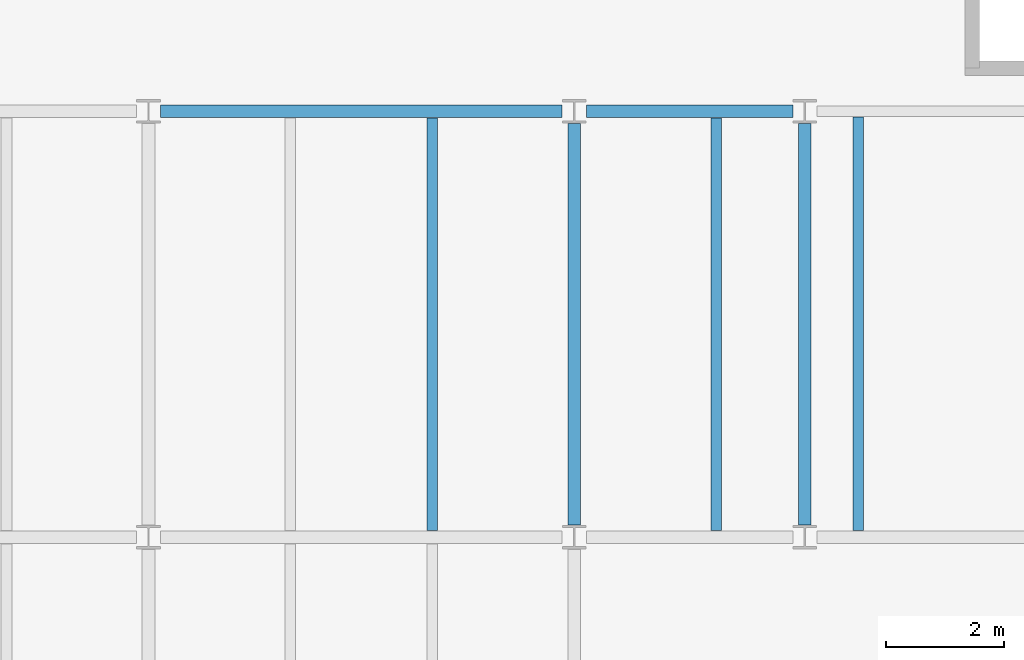
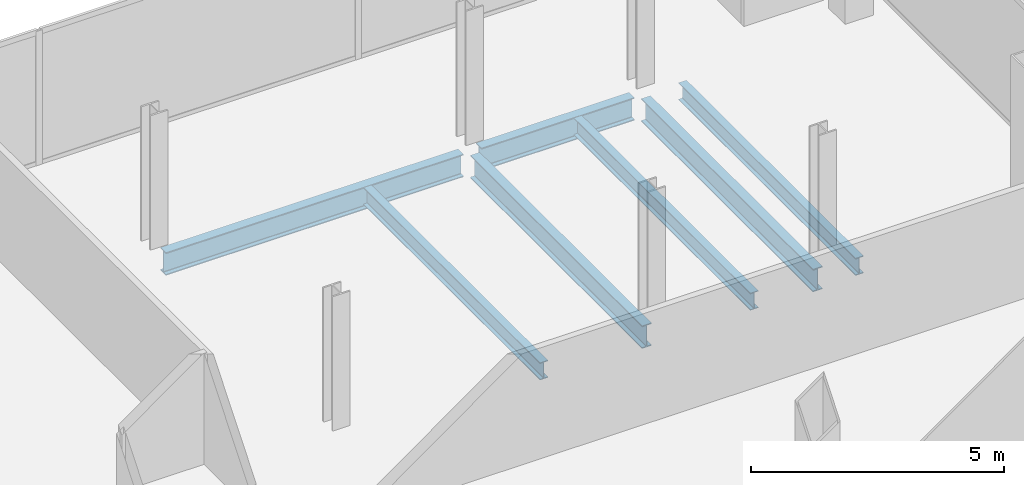
# One storey, part 15 of 24: 7 beams.
"""IFC4 building model written with IfcOpenShell, lengths in metres."""

from ifc_helpers import new_model, si_unit, direction, frame, origin, origin_2d, place, context, subcontext, project, spatial, i_section, extrude, material, material_profile, profile_set, type_object, element, save


model = new_model("IFC4")

# Units and contexts
model_context = context("Model", 3, precision=1e-05, world=origin(), true_north=direction((0.0, 1.0)))
body_context = subcontext(model_context, "Body", "Model", "MODEL_VIEW")
ifc_project = project(units=[si_unit("LENGTHUNIT", "METRE"), si_unit("AREAUNIT", "SQUARE_METRE"), si_unit("VOLUMEUNIT", "CUBIC_METRE"), si_unit("PLANEANGLEUNIT", "RADIAN"), si_unit("MASSUNIT", "GRAM", prefix="KILO")], contexts=[model_context])

# Site, building, storey
site_placement = place(None, origin())
site = spatial("IfcSite", under=ifc_project, at=site_placement, CompositionType="ELEMENT")
building_placement = place(site_placement, origin())
building = spatial("IfcBuilding", under=site, at=building_placement, Name="Cobrela Telecom Tower", CompositionType="ELEMENT")
storey_placement = place(building_placement, frame((0.0, 0.0, 248.14990234375)))
storey = spatial("IfcBuildingStorey", under=building, at=storey_placement, Name="L64", CompositionType="ELEMENT", Elevation=248.14990234375)

# Beams
ifc_material = material(Name="Steel ASTM A992 Grade 50", Category="steel")
ifc_material_profile_1 = material_profile(ifc_material, i_section(OverallWidth=0.212890625, OverallDepth=0.549072265625, WebThickness=0.0146484375, FlangeThickness=0.023681640625, FilletRadius=0.013916015625, at=origin_2d()), Name="W21X93")
ifc_profile_set_1 = profile_set([ifc_material_profile_1], Name="Steel ASTM A992 Grade 50")
beam_type_1 = type_object("IfcBeamType", Name="BM-GIRD-08", PredefinedType="USERDEFINED", material=ifc_profile_set_1)
beam_1_placement = place(storey_placement, frame((29.00439453125, 21.60009765625, -0.534423828125), z_axis=(1.0, 0.0, 0.0), x_axis=(0.0, 1.0, 0.0)))
element("IfcBeam", 1, at=beam_1_placement, inside=storey, type_object=beam_type_1, Name="L64 Primary Girder X12", ObjectType="GIRDER", PredefinedType="USERDEFINED", context=body_context, shape_type="SweptSolid", body=[
    extrude(i_section(OverallWidth=0.212890625, OverallDepth=0.549072265625, WebThickness=0.0146484375, FlangeThickness=0.023681640625, FilletRadius=0.013916015625, at=origin_2d()), origin(), (0.0, 0.0, 1.0), 6.791015625),
])
beam_2_placement = place(storey_placement, frame((36.20458984375, 21.60009765625, -0.534423828125), z_axis=(1.0, 0.0, 0.0), x_axis=(0.0, 1.0, 0.0)))
element("IfcBeam", 2, at=beam_2_placement, inside=storey, type_object=beam_type_1, Name="L64 Primary Girder X13", ObjectType="GIRDER", PredefinedType="USERDEFINED", context=body_context, shape_type="SweptSolid", body=[
    extrude(i_section(OverallWidth=0.212890625, OverallDepth=0.549072265625, WebThickness=0.0146484375, FlangeThickness=0.023681640625, FilletRadius=0.013916015625, at=origin_2d()), origin(), (0.0, 0.0, 1.0), 3.490966796875),
])
for number, where, z_axis, x_axis, name in (
    (3, (36.0, 14.6044921875, -0.534423828125), (0.0, 1.0, 0.0), (-1.0, 0.0, 0.0), "L64 Primary Girder Y32"),
    (4, (39.89990234375, 14.6044921875, -0.534423828125), (0.0, 1.0, 0.0), (-1.0, 0.0, 0.0), "L64 Primary Girder Y33"),
):
    element("IfcBeam", number, at=place(storey_placement, frame(where, z_axis=z_axis, x_axis=x_axis)), inside=storey, type_object=beam_type_1, Name=name, ObjectType="GIRDER", PredefinedType="USERDEFINED", context=body_context, shape_type="SweptSolid", body=[
        extrude(i_section(OverallWidth=0.212890625, OverallDepth=0.549072265625, WebThickness=0.0146484375, FlangeThickness=0.023681640625, FilletRadius=0.013916015625, at=origin_2d()), origin(), (0.0, 0.0, 1.0), 6.791015625),
    ])
ifc_material_profile_2 = material_profile(ifc_material, i_section(OverallWidth=0.179931640625, OverallDepth=0.4169921875, WebThickness=0.010986328125, FlangeThickness=0.01806640625, FilletRadius=0.011962890625, at=origin_2d()), Name="W16X57")
ifc_profile_set_2 = profile_set([ifc_material_profile_2], Name="Steel ASTM A992 Grade 50")
beam_type_2 = type_object("IfcBeamType", Name="BM-JOIST-04", PredefinedType="JOIST", material=ifc_profile_set_2)
for number, where, z_axis, x_axis, name in (
    (5, (33.60009765625, 14.511474609375, -0.468505859375), (0.0, 1.0, 0.0), (-1.0, 0.0, 0.0), "L64 Secondary Composite Floor Beam J14"),
    (6, (38.39990234375, 14.511474609375, -0.468505859375), (0.0, 1.0, 0.0), (-1.0, 0.0, 0.0), "L64 Secondary Composite Floor Beam J15"),
):
    element("IfcBeam", number, at=place(storey_placement, frame(where, z_axis=z_axis, x_axis=x_axis)), inside=storey, type_object=beam_type_2, Name=name, PredefinedType="JOIST", context=body_context, shape_type="SweptSolid", body=[
        extrude(i_section(OverallWidth=0.179931640625, OverallDepth=0.4169921875, WebThickness=0.010986328125, FlangeThickness=0.01806640625, FilletRadius=0.011962890625, at=origin_2d()), origin(), (0.0, 0.0, 1.0), 6.97705078125),
    ])
beam_3_placement = place(storey_placement, frame((40.800048828125, 14.511474609375, -0.468505859375), z_axis=(0.0, 1.0, 0.0), x_axis=(-1.0, 0.0, 0.0)))
element("IfcBeam", 7, at=beam_3_placement, inside=storey, type_object=beam_type_2, Name="L64 Secondary Composite Floor Beam J16", PredefinedType="JOIST", context=body_context, shape_type="SweptSolid", body=[
    extrude(i_section(OverallWidth=0.179931640625, OverallDepth=0.4169921875, WebThickness=0.010986328125, FlangeThickness=0.01806640625, FilletRadius=0.011962890625, at=origin_2d()), origin(), (0.0, 0.0, 1.0), 6.993408203125),
])

save(model, "model.ifc")
